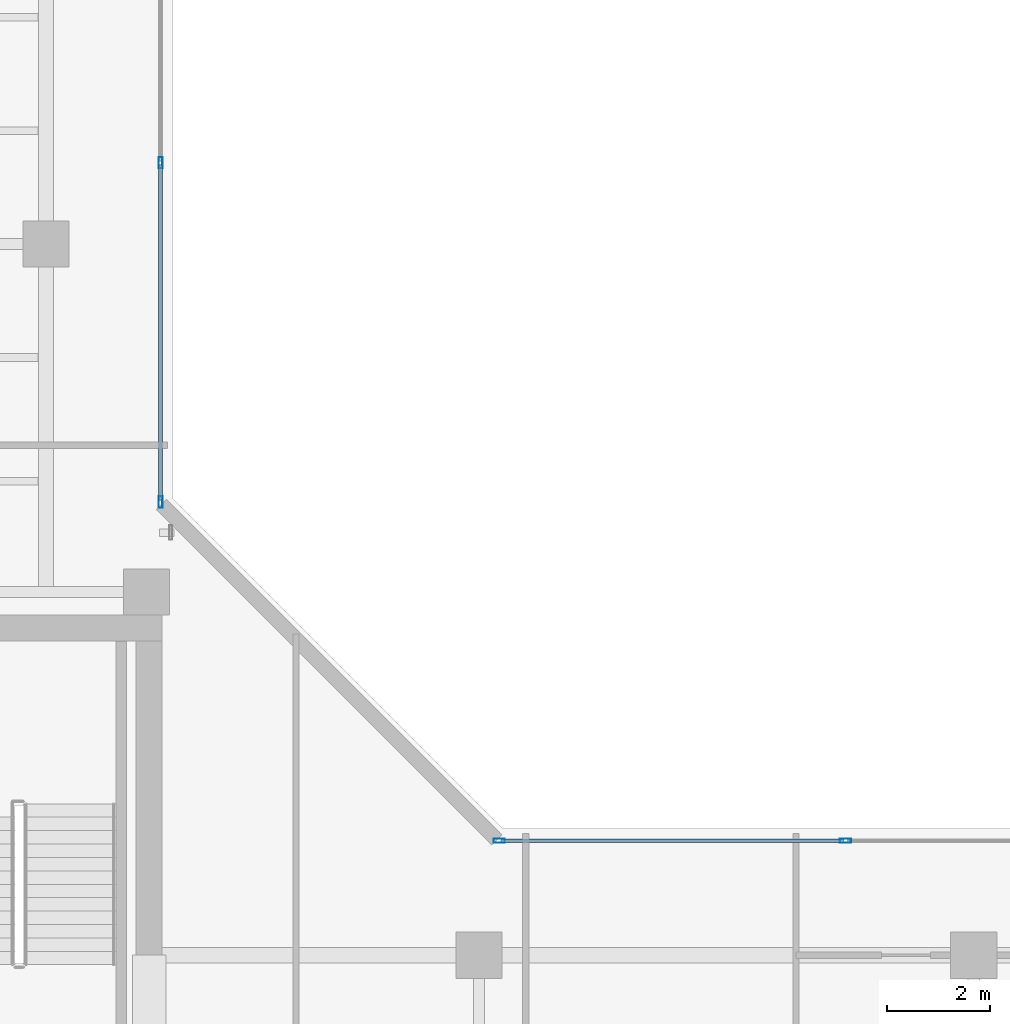
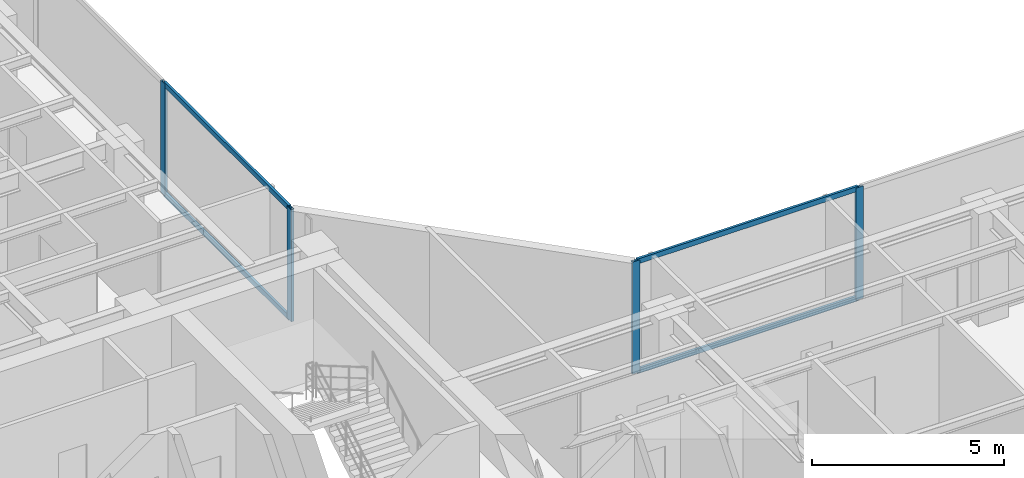
# One storey, part 10 of 22: 8 members, 2 elements without a shape of their own.
"""IFC4 building model written with IfcOpenShell, lengths in metres."""

from ifc_helpers import new_model, si_unit, direction, frame, origin, origin_with_axes, origin_2d, place, context, subcontext, project, spatial, hollow_rectangle, extrude, source, transform, mapped, material, layer, layer_set, material_profile, profile_set, type_object, element, aggregate, save


model = new_model("IFC4")

# Units and contexts
model_context = context("Model", 3, precision=1e-05, world=origin(), true_north=direction((0.0, 1.0)))
body_context = subcontext(model_context, "Body", "Model", "MODEL_VIEW")
ifc_project = project(units=[si_unit("LENGTHUNIT", "METRE"), si_unit("AREAUNIT", "SQUARE_METRE"), si_unit("VOLUMEUNIT", "CUBIC_METRE"), si_unit("PLANEANGLEUNIT", "RADIAN"), si_unit("MASSUNIT", "GRAM", prefix="KILO")], contexts=[model_context])

# Site, building, storey
site_placement = place(None, origin())
site = spatial("IfcSite", under=ifc_project, at=site_placement, CompositionType="ELEMENT")
building_placement = place(site_placement, origin())
building = spatial("IfcBuilding", under=site, at=building_placement, Name="Kolvaren Waterfront Exchange", CompositionType="ELEMENT")
storey_placement = place(building_placement, frame((0.0, 0.0, 312.199951171875)))
storey = spatial("IfcBuildingStorey", under=building, at=storey_placement, Name="L80", CompositionType="ELEMENT", Elevation=312.199951171875)

# Curtain wall, members
ifc_material_1 = material(Name="Anodised bronze aluminium 6063-T6", Category="aluminium")
ifc_layer = layer(ifc_material_1, 0.219970703125, Name="Anodised bronze aluminium 6063-T6")
ifc_layer_set = layer_set([ifc_layer], Name="Anodised bronze aluminium 6063-T6")
curtain_wall_type = type_object("IfcCurtainWallType", Name="ARC-CW-SYS1", PredefinedType="USERDEFINED", material=ifc_layer_set)
curtain_wall_1_placement = place(storey_placement, origin())
curtain_wall_1 = element("IfcCurtainWall", 1, at=curtain_wall_1_placement, inside=storey, type_object=curtain_wall_type, Name="L80 stick curtain wall CW1 (CW-L80-NE)", ObjectType="STICK CURTAIN WALL", PredefinedType="USERDEFINED")
ifc_material_2 = material(Name="Anodised aluminium 6063-T6", Category="aluminium")
ifc_material_profile_1 = material_profile(ifc_material_2, hollow_rectangle(XDim=0.080078125, YDim=0.219970703125, WallThickness=0.0048828125, at=origin_2d()), Name="ALU-MUL-220x80x5")
ifc_profile_set_1 = profile_set([ifc_material_profile_1], Name="Anodised aluminium 6063-T6")
member_type_1 = type_object("IfcMemberType", Name="ARC-CWM-220", PredefinedType="MULLION", material=ifc_profile_set_1)
shared_shape_1 = source(origin_with_axes(), body_context, "Body", "SweptSolid", [
    extrude(hollow_rectangle(XDim=0.080078125, YDim=0.219970703125, WallThickness=0.0048828125, at=origin_2d()), origin(), (0.0, 0.0, 1.0), 3.56005859375),
])
member_1_placement = place(storey_placement, frame((21.023193359375, 26.193115234375, 0.0), z_axis=(0.0, 0.0, 1.0), x_axis=(-1.0, 0.0, 0.0)))
member_1 = element("IfcMember", 2, at=member_1_placement, type_object=member_type_1, Name="CW1 mullion 1", PredefinedType="MULLION", context=body_context, shape_type="MappedRepresentation", body=[
    mapped(shared_shape_1, transform((0.0, 0.0, 0.0), x_axis=(1.0, 0.0, 0.0), y_axis=(0.0, 1.0, 0.0), z_axis=(0.0, 0.0, 1.0), scale=1.0)),
])
member_2_placement = place(storey_placement, frame((21.023193359375, 32.77587890625, 0.0), z_axis=(0.0, 0.0, 1.0), x_axis=(-1.0, 0.0, 0.0)))
member_2 = element("IfcMember", 3, at=member_2_placement, type_object=member_type_1, Name="CW1 mullion 2", PredefinedType="MULLION", context=body_context, shape_type="MappedRepresentation", body=[
    mapped(shared_shape_1, transform((0.0, 0.0, 0.0), x_axis=(1.0, 0.0, 0.0), y_axis=(0.0, 1.0, 0.0), z_axis=(0.0, 0.0, 1.0), scale=1.0)),
])

curtain_wall_2_placement = place(storey_placement, origin())
curtain_wall_2 = element("IfcCurtainWall", 4, at=curtain_wall_2_placement, inside=storey, type_object=curtain_wall_type, Name="L80 stick curtain wall CW1 (CW-L80-EN)", ObjectType="STICK CURTAIN WALL", PredefinedType="USERDEFINED")
member_3_placement = place(storey_placement, frame((27.59326171875, 19.623291015625, 0.0), z_axis=(0.0, 0.0, 1.0), x_axis=(0.0, 1.0, 0.0)))
member_3 = element("IfcMember", 5, at=member_3_placement, type_object=member_type_1, Name="CW1 mullion 1", PredefinedType="MULLION", context=body_context, shape_type="MappedRepresentation", body=[
    mapped(shared_shape_1, transform((0.0, 0.0, 0.0), x_axis=(1.0, 0.0, 0.0), y_axis=(0.0, 1.0, 0.0), z_axis=(0.0, 0.0, 1.0), scale=1.0)),
])
member_4_placement = place(storey_placement, frame((34.30908203125, 19.623291015625, 0.0), z_axis=(0.0, 0.0, 1.0), x_axis=(0.0, 1.0, 0.0)))
member_4 = element("IfcMember", 6, at=member_4_placement, type_object=member_type_1, Name="CW1 mullion 2", PredefinedType="MULLION", context=body_context, shape_type="MappedRepresentation", body=[
    mapped(shared_shape_1, transform((0.0, 0.0, 0.0), x_axis=(1.0, 0.0, 0.0), y_axis=(0.0, 1.0, 0.0), z_axis=(0.0, 0.0, 1.0), scale=1.0)),
])

# Member
ifc_material_profile_2 = material_profile(ifc_material_2, hollow_rectangle(XDim=0.074951171875, YDim=0.159912109375, WallThickness=0.00439453125, at=origin_2d()), Name="ALU-TRN-160x75x4.5")
ifc_profile_set_2 = profile_set([ifc_material_profile_2], Name="Anodised aluminium 6063-T6")
member_type_2 = type_object("IfcMemberType", Name="ARC-CWT-160", PredefinedType="USERDEFINED", material=ifc_profile_set_2)
shared_shape_2 = source(origin_with_axes(), body_context, "Body", "SweptSolid", [
    extrude(hollow_rectangle(XDim=0.074951171875, YDim=0.159912109375, WallThickness=0.00439453125, at=origin_2d()), origin(), (0.0, 0.0, 1.0), 6.502685546875),
])
member_5_placement = place(storey_placement, frame((21.023193359375, 26.233154296875, 0.03759765625), z_axis=(0.0, 1.0, 0.0), x_axis=(-1.0, 0.0, 0.0)))
member_5 = element("IfcMember", 7, at=member_5_placement, type_object=member_type_2, Name="CW1 transom 1.1", ObjectType="TRANSOM", PredefinedType="USERDEFINED", context=body_context, shape_type="MappedRepresentation", body=[
    mapped(shared_shape_2, transform((0.0, 0.0, 0.0), x_axis=(1.0, 0.0, 0.0), y_axis=(0.0, 1.0, 0.0), z_axis=(0.0, 0.0, 1.0), scale=1.0)),
])

member_6_placement = place(storey_placement, frame((21.023193359375, 26.233154296875, 3.5224609375), z_axis=(0.0, 1.0, 0.0), x_axis=(-1.0, 0.0, 0.0)))
member_6 = element("IfcMember", 8, at=member_6_placement, type_object=member_type_2, Name="CW1 transom 1.2", ObjectType="TRANSOM", PredefinedType="USERDEFINED", context=body_context, shape_type="MappedRepresentation", body=[
    mapped(shared_shape_2, transform((0.0, 0.0, 0.0), x_axis=(1.0, 0.0, 0.0), y_axis=(0.0, 1.0, 0.0), z_axis=(0.0, 0.0, 1.0), scale=1.0)),
])

aggregate(curtain_wall_1, [member_1, member_2, member_5, member_6])

shared_shape_3 = source(origin_with_axes(), body_context, "Body", "SweptSolid", [
    extrude(hollow_rectangle(XDim=0.074951171875, YDim=0.159912109375, WallThickness=0.00439453125, at=origin_2d()), origin(), (0.0, 0.0, 1.0), 6.635986328125),
])
member_7_placement = place(storey_placement, frame((27.63330078125, 19.623291015625, 0.03759765625), z_axis=(1.0, 0.0, 0.0), x_axis=(0.0, 1.0, 0.0)))
member_7 = element("IfcMember", 9, at=member_7_placement, type_object=member_type_2, Name="CW1 transom 1.1", ObjectType="TRANSOM", PredefinedType="USERDEFINED", context=body_context, shape_type="MappedRepresentation", body=[
    mapped(shared_shape_3, transform((0.0, 0.0, 0.0), x_axis=(1.0, 0.0, 0.0), y_axis=(0.0, 1.0, 0.0), z_axis=(0.0, 0.0, 1.0), scale=1.0)),
])

member_8_placement = place(storey_placement, frame((27.63330078125, 19.623291015625, 3.5224609375), z_axis=(1.0, 0.0, 0.0), x_axis=(0.0, 1.0, 0.0)))
member_8 = element("IfcMember", 10, at=member_8_placement, type_object=member_type_2, Name="CW1 transom 1.2", ObjectType="TRANSOM", PredefinedType="USERDEFINED", context=body_context, shape_type="MappedRepresentation", body=[
    mapped(shared_shape_3, transform((0.0, 0.0, 0.0), x_axis=(1.0, 0.0, 0.0), y_axis=(0.0, 1.0, 0.0), z_axis=(0.0, 0.0, 1.0), scale=1.0)),
])

aggregate(curtain_wall_2, [member_3, member_4, member_7, member_8])

save(model, "model.ifc")
